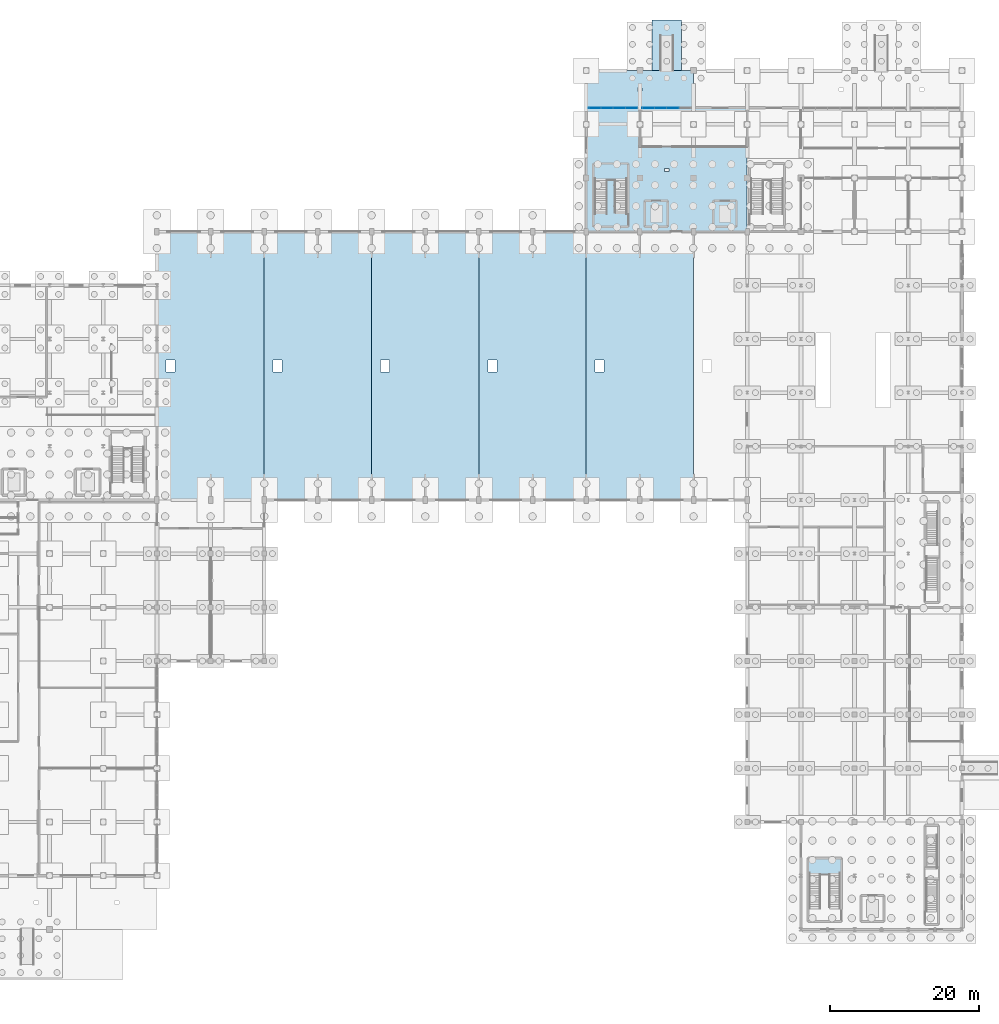
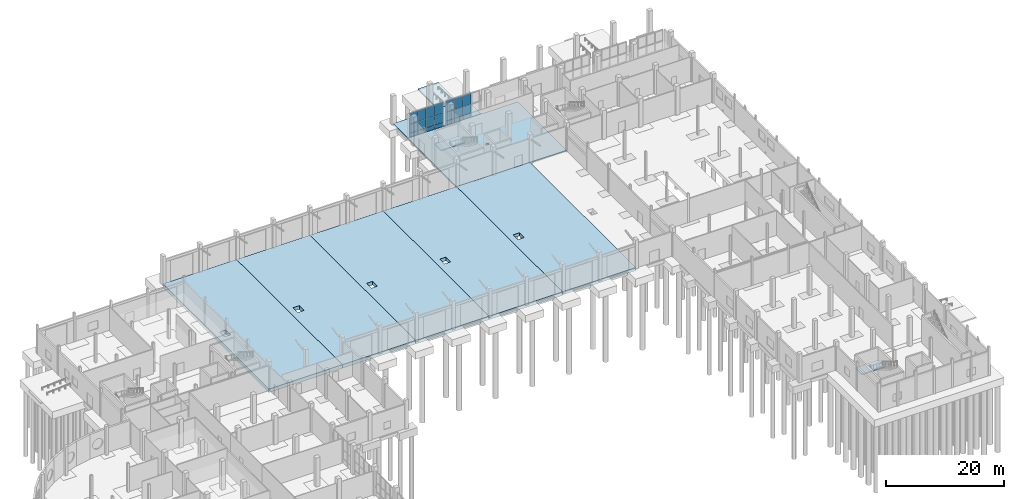
# One storey, part 24 of 45: 21 plates, 10 slabs, 4 elements without a shape of their own.
"""IFC4 building model written with IfcOpenShell, lengths in metres."""

from ifc_helpers import new_model, si_unit, direction, frame, origin, origin_2d, place, context, subcontext, project, spatial, polyline, rectangle, outline, extrude, material, layer, layer_set, type_object, element, aggregate, save


model = new_model("IFC4")

# Units and contexts
model_context = context("Model", 3, precision=1e-05, world=origin(), true_north=direction((0.0, 1.0)))
body_context = subcontext(model_context, "Body", "Model", "MODEL_VIEW")
ifc_project = project(units=[si_unit("LENGTHUNIT", "METRE"), si_unit("AREAUNIT", "SQUARE_METRE"), si_unit("VOLUMEUNIT", "CUBIC_METRE"), si_unit("PLANEANGLEUNIT", "RADIAN"), si_unit("MASSUNIT", "GRAM", prefix="KILO")], contexts=[model_context])

# Site, building, storey
site_placement = place(None, origin())
site = spatial("IfcSite", under=ifc_project, at=site_placement, CompositionType="ELEMENT")
building_placement = place(site_placement, origin())
building = spatial("IfcBuilding", under=site, at=building_placement, Name="Yarey Park Central Fire Station", CompositionType="ELEMENT")
storey_placement = place(building_placement, origin())
storey = spatial("IfcBuildingStorey", under=building, at=storey_placement, Name="L01", CompositionType="ELEMENT", Elevation=0.0)

# Curtain wall, plates
ifc_material_1 = material(Name="Anodized Aluminium Frame", Category="aluminium")
curtain_wall_type = type_object("IfcCurtainWallType", Name="ENV_CW_HQ_L01", PredefinedType="NOTDEFINED", material=ifc_material_1)
curtain_wall_1_placement = place(storey_placement, origin())
curtain_wall_1 = element("IfcCurtainWall", 1, at=curtain_wall_1_placement, inside=storey, type_object=curtain_wall_type, Name="CW_L01_V4_N_2", PredefinedType="NOTDEFINED")
ifc_material_2 = material(Name="Insulated Aluminium Spandrel Panel", Category="aluminium")
ifc_layer_1 = layer(ifc_material_2, 0.055908203125)
ifc_layer_set_1 = layer_set([ifc_layer_1], Name="Insulated Aluminium Spandrel Panel")
plate_type_1 = type_object("IfcPlateType", Name="ENV_PNL_SPN_01", PredefinedType="CURTAIN_PANEL", material=ifc_layer_set_1)
plate_1_placement = place(storey_placement, frame((126.822509765625, 110.199951171875, 0.04248046875), z_axis=(0.0, 0.0, 1.0), x_axis=(-1.0, 0.0, 0.0)))
plate_1 = element("IfcPlate", 2, at=plate_1_placement, type_object=plate_type_1, Name="CW_L01_V4_N_2_PNL04", PredefinedType="CURTAIN_PANEL", context=body_context, shape_type="SweptSolid", body=[
    extrude(rectangle(XDim=1.60498046875, YDim=0.055908203125, at=origin_2d()), origin(), (0.0, 0.0, 1.0), 0.840087890625),
])
plate_2_placement = place(storey_placement, frame((125.177490234375, 110.199951171875, 0.04248046875), z_axis=(0.0, 0.0, 1.0), x_axis=(-1.0, 0.0, 0.0)))
plate_2 = element("IfcPlate", 3, at=plate_2_placement, type_object=plate_type_1, Name="CW_L01_V4_N_2_PNL07", PredefinedType="CURTAIN_PANEL", context=body_context, shape_type="SweptSolid", body=[
    extrude(rectangle(XDim=1.60498046875, YDim=0.055908203125, at=origin_2d()), origin(), (0.0, 0.0, 1.0), 0.840087890625),
])
plate_3_placement = place(storey_placement, frame((123.532470703125, 110.199951171875, 0.04248046875), z_axis=(0.0, 0.0, 1.0), x_axis=(-1.0, 0.0, 0.0)))
plate_3 = element("IfcPlate", 4, at=plate_3_placement, type_object=plate_type_1, Name="CW_L01_V4_N_2_PNL10", PredefinedType="CURTAIN_PANEL", context=body_context, shape_type="SweptSolid", body=[
    extrude(rectangle(XDim=1.60498046875, YDim=0.055908203125, at=origin_2d()), origin(), (0.0, 0.0, 1.0), 0.840087890625),
])

curtain_wall_2_placement = place(storey_placement, origin())
curtain_wall_2 = element("IfcCurtainWall", 5, at=curtain_wall_2_placement, inside=storey, type_object=curtain_wall_type, Name="CW_L01_V4_N_1", PredefinedType="NOTDEFINED")
ifc_layer_2 = layer(ifc_material_2, 0.087890625)
ifc_layer_set_2 = layer_set([ifc_layer_2], Name="Insulated Aluminium Spandrel Panel")
plate_type_2 = type_object("IfcPlateType", Name="ENV_PNL_SPN_04", PredefinedType="CURTAIN_PANEL", material=ifc_layer_set_2)
plate_4_placement = place(storey_placement, frame((121.267578125, 110.199951171875, 0.04248046875), z_axis=(0.0, 0.0, 1.0), x_axis=(-1.0, 0.0, 0.0)))
plate_4 = element("IfcPlate", 6, at=plate_4_placement, type_object=plate_type_2, Name="CW_L01_V4_N_1_PNL01", PredefinedType="CURTAIN_PANEL", context=body_context, shape_type="SweptSolid", body=[
    extrude(rectangle(XDim=1.60498046875, YDim=0.087890625, at=origin_2d()), origin(), (0.0, 0.0, 1.0), 0.840087890625),
])
plate_5_placement = place(storey_placement, frame((119.62255859375, 110.199951171875, 0.04248046875), z_axis=(0.0, 0.0, 1.0), x_axis=(-1.0, 0.0, 0.0)))
plate_5 = element("IfcPlate", 7, at=plate_5_placement, type_object=plate_type_2, Name="CW_L01_V4_N_1_PNL04", PredefinedType="CURTAIN_PANEL", context=body_context, shape_type="SweptSolid", body=[
    extrude(rectangle(XDim=1.60498046875, YDim=0.087890625, at=origin_2d()), origin(), (0.0, 0.0, 1.0), 0.840087890625),
])
plate_6_placement = place(storey_placement, frame((117.9775390625, 110.199951171875, 0.04248046875), z_axis=(0.0, 0.0, 1.0), x_axis=(-1.0, 0.0, 0.0)))
plate_6 = element("IfcPlate", 8, at=plate_6_placement, type_object=plate_type_2, Name="CW_L01_V4_N_1_PNL07", PredefinedType="CURTAIN_PANEL", context=body_context, shape_type="SweptSolid", body=[
    extrude(rectangle(XDim=1.60498046875, YDim=0.087890625, at=origin_2d()), origin(), (0.0, 0.0, 1.0), 0.840087890625),
])
plate_7_placement = place(storey_placement, frame((116.33251953125, 110.199951171875, 0.04248046875), z_axis=(0.0, 0.0, 1.0), x_axis=(-1.0, 0.0, 0.0)))
plate_7 = element("IfcPlate", 9, at=plate_7_placement, type_object=plate_type_2, Name="CW_L01_V4_N_1_PNL10", PredefinedType="CURTAIN_PANEL", context=body_context, shape_type="SweptSolid", body=[
    extrude(rectangle(XDim=1.60498046875, YDim=0.087890625, at=origin_2d()), origin(), (0.0, 0.0, 1.0), 0.840087890625),
])

# Plate
ifc_material_3 = material(Name="Laminated Hurricane Low-E Glass", Category="glass")
ifc_layer_3 = layer(ifc_material_3, 0.02392578125)
ifc_layer_set_3 = layer_set([ifc_layer_3], Name="Laminated Hurricane Low-E Glass")
plate_type_3 = type_object("IfcPlateType", Name="ENV_PNL_VIS_01", PredefinedType="CURTAIN_PANEL", material=ifc_layer_set_3)
plate_8_placement = place(storey_placement, frame((126.822509765625, 110.199951171875, 0.91748046875), z_axis=(0.0, 0.0, 1.0), x_axis=(-1.0, 0.0, 0.0)))
plate_8 = element("IfcPlate", 10, at=plate_8_placement, type_object=plate_type_3, Name="CW_L01_V4_N_2_PNL05", PredefinedType="CURTAIN_PANEL", context=body_context, shape_type="SweptSolid", body=[
    extrude(rectangle(XDim=1.60498046875, YDim=0.02392578125, at=origin_2d()), origin(), (0.0, 0.0, 1.0), 1.7919921875),
])

plate_9_placement = place(storey_placement, frame((126.822509765625, 110.199951171875, 2.74462890625), z_axis=(0.0, 0.0, 1.0), x_axis=(-1.0, 0.0, 0.0)))
plate_9 = element("IfcPlate", 11, at=plate_9_placement, type_object=plate_type_3, Name="CW_L01_V4_N_2_PNL06", PredefinedType="CURTAIN_PANEL", context=body_context, shape_type="SweptSolid", body=[
    extrude(rectangle(XDim=1.60498046875, YDim=0.02392578125, at=origin_2d()), origin(), (0.0, 0.0, 1.0), 2.262939453125),
])

plate_10_placement = place(storey_placement, frame((125.177490234375, 110.199951171875, 0.91748046875), z_axis=(0.0, 0.0, 1.0), x_axis=(-1.0, 0.0, 0.0)))
plate_10 = element("IfcPlate", 12, at=plate_10_placement, type_object=plate_type_3, Name="CW_L01_V4_N_2_PNL08", PredefinedType="CURTAIN_PANEL", context=body_context, shape_type="SweptSolid", body=[
    extrude(rectangle(XDim=1.60498046875, YDim=0.02392578125, at=origin_2d()), origin(), (0.0, 0.0, 1.0), 1.7919921875),
])

plate_11_placement = place(storey_placement, frame((125.177490234375, 110.199951171875, 2.74462890625), z_axis=(0.0, 0.0, 1.0), x_axis=(-1.0, 0.0, 0.0)))
plate_11 = element("IfcPlate", 13, at=plate_11_placement, type_object=plate_type_3, Name="CW_L01_V4_N_2_PNL09", PredefinedType="CURTAIN_PANEL", context=body_context, shape_type="SweptSolid", body=[
    extrude(rectangle(XDim=1.60498046875, YDim=0.02392578125, at=origin_2d()), origin(), (0.0, 0.0, 1.0), 2.262939453125),
])

plate_12_placement = place(storey_placement, frame((123.532470703125, 110.199951171875, 0.91748046875), z_axis=(0.0, 0.0, 1.0), x_axis=(-1.0, 0.0, 0.0)))
plate_12 = element("IfcPlate", 14, at=plate_12_placement, type_object=plate_type_3, Name="CW_L01_V4_N_2_PNL11", PredefinedType="CURTAIN_PANEL", context=body_context, shape_type="SweptSolid", body=[
    extrude(rectangle(XDim=1.60498046875, YDim=0.02392578125, at=origin_2d()), origin(), (0.0, 0.0, 1.0), 1.7919921875),
])

plate_13_placement = place(storey_placement, frame((123.532470703125, 110.199951171875, 2.74462890625), z_axis=(0.0, 0.0, 1.0), x_axis=(-1.0, 0.0, 0.0)))
plate_13 = element("IfcPlate", 15, at=plate_13_placement, type_object=plate_type_3, Name="CW_L01_V4_N_2_PNL12", PredefinedType="CURTAIN_PANEL", context=body_context, shape_type="SweptSolid", body=[
    extrude(rectangle(XDim=1.60498046875, YDim=0.02392578125, at=origin_2d()), origin(), (0.0, 0.0, 1.0), 2.262939453125),
])

aggregate(curtain_wall_1, [plate_1, plate_8, plate_9, plate_2, plate_10, plate_11, plate_3, plate_12, plate_13])

ifc_layer_4 = layer(ifc_material_3, 0.0458984375)
ifc_layer_set_4 = layer_set([ifc_layer_4], Name="Laminated Hurricane Low-E Glass")
plate_type_4 = type_object("IfcPlateType", Name="ENV_PNL_VIS_04", PredefinedType="CURTAIN_PANEL", material=ifc_layer_set_4)
plate_14_placement = place(storey_placement, frame((121.267578125, 110.199951171875, 0.91748046875), z_axis=(0.0, 0.0, 1.0), x_axis=(-1.0, 0.0, 0.0)))
plate_14 = element("IfcPlate", 16, at=plate_14_placement, type_object=plate_type_4, Name="CW_L01_V4_N_1_PNL02", PredefinedType="CURTAIN_PANEL", context=body_context, shape_type="SweptSolid", body=[
    extrude(rectangle(XDim=1.60498046875, YDim=0.0458984375, at=origin_2d()), origin(), (0.0, 0.0, 1.0), 1.7919921875),
])

plate_15_placement = place(storey_placement, frame((121.267578125, 110.199951171875, 2.74462890625), z_axis=(0.0, 0.0, 1.0), x_axis=(-1.0, 0.0, 0.0)))
plate_15 = element("IfcPlate", 17, at=plate_15_placement, type_object=plate_type_4, Name="CW_L01_V4_N_1_PNL03", PredefinedType="CURTAIN_PANEL", context=body_context, shape_type="SweptSolid", body=[
    extrude(rectangle(XDim=1.60498046875, YDim=0.0458984375, at=origin_2d()), origin(), (0.0, 0.0, 1.0), 2.262939453125),
])

plate_16_placement = place(storey_placement, frame((119.62255859375, 110.199951171875, 0.91748046875), z_axis=(0.0, 0.0, 1.0), x_axis=(-1.0, 0.0, 0.0)))
plate_16 = element("IfcPlate", 18, at=plate_16_placement, type_object=plate_type_4, Name="CW_L01_V4_N_1_PNL05", PredefinedType="CURTAIN_PANEL", context=body_context, shape_type="SweptSolid", body=[
    extrude(rectangle(XDim=1.60498046875, YDim=0.0458984375, at=origin_2d()), origin(), (0.0, 0.0, 1.0), 1.7919921875),
])

plate_17_placement = place(storey_placement, frame((119.62255859375, 110.199951171875, 2.74462890625), z_axis=(0.0, 0.0, 1.0), x_axis=(-1.0, 0.0, 0.0)))
plate_17 = element("IfcPlate", 19, at=plate_17_placement, type_object=plate_type_4, Name="CW_L01_V4_N_1_PNL06", PredefinedType="CURTAIN_PANEL", context=body_context, shape_type="SweptSolid", body=[
    extrude(rectangle(XDim=1.60498046875, YDim=0.0458984375, at=origin_2d()), origin(), (0.0, 0.0, 1.0), 2.262939453125),
])

plate_18_placement = place(storey_placement, frame((117.9775390625, 110.199951171875, 0.91748046875), z_axis=(0.0, 0.0, 1.0), x_axis=(-1.0, 0.0, 0.0)))
plate_18 = element("IfcPlate", 20, at=plate_18_placement, type_object=plate_type_4, Name="CW_L01_V4_N_1_PNL08", PredefinedType="CURTAIN_PANEL", context=body_context, shape_type="SweptSolid", body=[
    extrude(rectangle(XDim=1.60498046875, YDim=0.0458984375, at=origin_2d()), origin(), (0.0, 0.0, 1.0), 1.7919921875),
])

plate_19_placement = place(storey_placement, frame((117.9775390625, 110.199951171875, 2.74462890625), z_axis=(0.0, 0.0, 1.0), x_axis=(-1.0, 0.0, 0.0)))
plate_19 = element("IfcPlate", 21, at=plate_19_placement, type_object=plate_type_4, Name="CW_L01_V4_N_1_PNL09", PredefinedType="CURTAIN_PANEL", context=body_context, shape_type="SweptSolid", body=[
    extrude(rectangle(XDim=1.60498046875, YDim=0.0458984375, at=origin_2d()), origin(), (0.0, 0.0, 1.0), 2.262939453125),
])

plate_20_placement = place(storey_placement, frame((116.33251953125, 110.199951171875, 0.91748046875), z_axis=(0.0, 0.0, 1.0), x_axis=(-1.0, 0.0, 0.0)))
plate_20 = element("IfcPlate", 22, at=plate_20_placement, type_object=plate_type_4, Name="CW_L01_V4_N_1_PNL11", PredefinedType="CURTAIN_PANEL", context=body_context, shape_type="SweptSolid", body=[
    extrude(rectangle(XDim=1.60498046875, YDim=0.0458984375, at=origin_2d()), origin(), (0.0, 0.0, 1.0), 1.7919921875),
])

plate_21_placement = place(storey_placement, frame((116.33251953125, 110.199951171875, 2.74462890625), z_axis=(0.0, 0.0, 1.0), x_axis=(-1.0, 0.0, 0.0)))
plate_21 = element("IfcPlate", 23, at=plate_21_placement, type_object=plate_type_4, Name="CW_L01_V4_N_1_PNL12", PredefinedType="CURTAIN_PANEL", context=body_context, shape_type="SweptSolid", body=[
    extrude(rectangle(XDim=1.60498046875, YDim=0.0458984375, at=origin_2d()), origin(), (0.0, 0.0, 1.0), 2.262939453125),
])

aggregate(curtain_wall_2, [plate_4, plate_14, plate_15, plate_5, plate_16, plate_17, plate_6, plate_18, plate_19, plate_7, plate_20, plate_21])

# Stair, slab
ifc_material_4 = material(Name="Concrete C40/50", Category="concrete")
stair_type_1 = type_object("IfcStairType", Name="INT_ST_2RUN_150_H60", PredefinedType="USERDEFINED", material=ifc_material_4)
stair_1_placement = place(storey_placement, origin())
stair_1 = element("IfcStair", 24, at=stair_1_placement, inside=storey, type_object=stair_type_1, Name="Exit Stair ST-1 L01", ObjectType="TWO_RUN_STAIR", PredefinedType="USERDEFINED")
ifc_layer_5 = layer(ifc_material_4, 0.205078125)
ifc_layer_set_5 = layer_set([ifc_layer_5], Name="Concrete C40/50")
slab_type_1 = type_object("IfcSlabType", Name="INT_SLAB_LND205", PredefinedType="LANDING", material=ifc_layer_set_5)
slab_1_placement = place(storey_placement, frame((0.0, 0.0, 2.794921875)))
slab_1 = element("IfcSlab", 25, at=slab_1_placement, type_object=slab_type_1, Name="STAIR_C1_L01_LND", PredefinedType="LANDING", context=body_context, shape_type="SweptSolid", body=[
    extrude(outline(polyline([(116.14990234375, 100.5), (120.85009765625, 100.5), (120.85009765625, 102.75), (116.14990234375, 102.75), (116.14990234375, 100.5)])), origin(), (0.0, 0.0, 1.0), 0.205078125),
])
aggregate(stair_1, [slab_1])

stair_type_2 = type_object("IfcStairType", Name="INT_ST_2RUN_130_H60", PredefinedType="USERDEFINED", material=ifc_material_4)
stair_2_placement = place(storey_placement, origin())
stair_2 = element("IfcStair", 26, at=stair_2_placement, inside=storey, type_object=stair_type_2, Name="Exit Stair ST-5 L01", ObjectType="TWO_RUN_STAIR", PredefinedType="USERDEFINED")
slab_2_placement = place(storey_placement, frame((0.0, 0.0, 2.794921875)))
slab_2 = element("IfcSlab", 27, at=slab_2_placement, type_object=slab_type_1, Name="STAIR_C5_L01_LND", PredefinedType="LANDING", context=body_context, shape_type="SweptSolid", body=[
    extrude(outline(polyline([(144.949951171875, 7.300048828125), (149.449951171875, 7.300048828125), (149.449951171875, 9.550048828125), (144.949951171875, 9.550048828125), (144.949951171875, 7.300048828125)])), origin(), (0.0, 0.0, 1.0), 0.205078125),
])
aggregate(stair_2, [slab_2])

# Slabs
ifc_material_5 = material(Name="Concrete C35/45", Category="concrete")
ifc_layer_6 = layer(ifc_material_5, 0.27001953125)
ifc_layer_set_6 = layer_set([ifc_layer_6], Name="Concrete C35/45")
slab_type_2 = type_object("IfcSlabType", Name="STR_SLAB_EXT270", PredefinedType="FLOOR", material=ifc_layer_set_6)
slab_3_placement = place(storey_placement, frame((0.0, 0.0, -0.27001953125)))
element("IfcSlab", 28, at=slab_3_placement, inside=storey, type_object=slab_type_2, Name="SLAB_L01_V4_PORTAL_1", PredefinedType="FLOOR", context=body_context, shape_type="SweptSolid", body=[
    extrude(outline(polyline([(115.199951171875, 110.199951171875), (129.60009765625, 110.199951171875), (129.60009765625, 115.199951171875), (115.199951171875, 115.199951171875), (115.199951171875, 110.199951171875)]), holes=[polyline([(122.10009765625, 112.5), (122.699951171875, 112.5), (122.699951171875, 112.89990234375), (122.10009765625, 112.89990234375), (122.10009765625, 112.5)])]), origin(), (0.0, 0.0, 1.0), 0.27001953125),
])
slab_4_placement = place(storey_placement, frame((0.0, 0.0, -0.2900390625)))
element("IfcSlab", 29, at=slab_4_placement, inside=storey, type_object=slab_type_2, Name="SLAB_L01_APR_N1", PredefinedType="FLOOR", context=body_context, shape_type="SweptSolid", body=[
    extrude(outline(polyline([(124.0, 115.199951171875), (128.0, 115.199951171875), (128.0, 122.0), (124.0, 122.0), (124.0, 115.199951171875)])), origin(), (0.0, 0.0, 1.0), 0.27001953125),
])
ifc_layer_7 = layer(ifc_material_5, 0.300048828125)
ifc_layer_set_7 = layer_set([ifc_layer_7], Name="Concrete C35/45")
slab_type_3 = type_object("IfcSlabType", Name="STR_SLAB_G300", PredefinedType="FLOOR", material=ifc_layer_set_7)
slab_5_placement = place(storey_placement, frame((0.0, 0.0, -0.300048828125)))
element("IfcSlab", 30, at=slab_5_placement, inside=storey, type_object=slab_type_3, Name="SLAB_L01_V4_W", PredefinedType="FLOOR", context=body_context, shape_type="SweptSolid", body=[
    extrude(outline(polyline([(115.199951171875, 93.60009765625), (136.800048828125, 93.60009765625), (136.800048828125, 110.199951171875), (115.199951171875, 110.199951171875), (115.199951171875, 93.60009765625)]), holes=[polyline([(125.699951171875, 101.699951171875), (126.300048828125, 101.699951171875), (126.300048828125, 102.10009765625), (125.699951171875, 102.10009765625), (125.699951171875, 101.699951171875)])]), origin(), (0.0, 0.0, 1.0), 0.300048828125),
])
ifc_layer_8 = layer(ifc_material_5, 0.64990234375)
ifc_layer_set_8 = layer_set([ifc_layer_8], Name="Concrete C35/45")
slab_type_4 = type_object("IfcSlabType", Name="STR_SLAB_MAT650", PredefinedType="BASESLAB", material=ifc_layer_set_8)
slab_6_placement = place(storey_placement, frame((0.0, 0.0, -0.64990234375)))
element("IfcSlab", 31, at=slab_6_placement, inside=storey, type_object=slab_type_4, Name="SLAB_L01_V2_MAT5", PredefinedType="BASESLAB", context=body_context, shape_type="SweptSolid", body=[
    extrude(outline(polyline([(115.199951171875, 57.60009765625), (129.60009765625, 57.60009765625), (129.60009765625, 93.60009765625), (115.199951171875, 93.60009765625), (115.199951171875, 57.60009765625)]), holes=[polyline([(116.39990234375, 74.800048828125), (117.60009765625, 74.800048828125), (117.60009765625, 76.39990234375), (116.39990234375, 76.39990234375), (116.39990234375, 74.800048828125)])]), origin(), (0.0, 0.0, 1.0), 0.64990234375),
])
ifc_layer_9 = layer(ifc_material_5, 0.75)
ifc_layer_set_9 = layer_set([ifc_layer_9], Name="Concrete C35/45")
slab_type_5 = type_object("IfcSlabType", Name="STR_SLAB_MAT750", PredefinedType="BASESLAB", material=ifc_layer_set_9)
slab_7_placement = place(storey_placement, frame((0.0, 0.0, -0.75)))
element("IfcSlab", 32, at=slab_7_placement, inside=storey, type_object=slab_type_5, Name="SLAB_L01_V2_MAT1", PredefinedType="BASESLAB", context=body_context, shape_type="SweptSolid", body=[
    extrude(outline(polyline([(57.60009765625, 57.60009765625), (72.0, 57.60009765625), (72.0, 93.60009765625), (57.60009765625, 93.60009765625), (57.60009765625, 57.60009765625)]), holes=[polyline([(58.800048828125, 74.800048828125), (60.0, 74.800048828125), (60.0, 76.39990234375), (58.800048828125, 76.39990234375), (58.800048828125, 74.800048828125)])]), origin(), (0.0, 0.0, 1.0), 0.75),
])
slab_8_placement = place(storey_placement, frame((0.0, 0.0, -0.75)))
element("IfcSlab", 33, at=slab_8_placement, inside=storey, type_object=slab_type_5, Name="SLAB_L01_V2_MAT2", PredefinedType="BASESLAB", context=body_context, shape_type="SweptSolid", body=[
    extrude(outline(polyline([(72.0, 57.60009765625), (86.39990234375, 57.60009765625), (86.39990234375, 93.60009765625), (72.0, 93.60009765625), (72.0, 57.60009765625)]), holes=[polyline([(73.199951171875, 74.800048828125), (74.39990234375, 74.800048828125), (74.39990234375, 76.39990234375), (73.199951171875, 76.39990234375), (73.199951171875, 74.800048828125)])]), origin(), (0.0, 0.0, 1.0), 0.75),
])
slab_9_placement = place(storey_placement, frame((0.0, 0.0, -0.75)))
element("IfcSlab", 34, at=slab_9_placement, inside=storey, type_object=slab_type_5, Name="SLAB_L01_V2_MAT3", PredefinedType="BASESLAB", context=body_context, shape_type="SweptSolid", body=[
    extrude(outline(polyline([(86.39990234375, 57.60009765625), (100.800048828125, 57.60009765625), (100.800048828125, 93.60009765625), (86.39990234375, 93.60009765625), (86.39990234375, 57.60009765625)]), holes=[polyline([(87.60009765625, 74.800048828125), (88.800048828125, 74.800048828125), (88.800048828125, 76.39990234375), (87.60009765625, 76.39990234375), (87.60009765625, 74.800048828125)])]), origin(), (0.0, 0.0, 1.0), 0.75),
])
slab_10_placement = place(storey_placement, frame((0.0, 0.0, -0.75)))
element("IfcSlab", 35, at=slab_10_placement, inside=storey, type_object=slab_type_5, Name="SLAB_L01_V2_MAT4", PredefinedType="BASESLAB", context=body_context, shape_type="SweptSolid", body=[
    extrude(outline(polyline([(100.800048828125, 57.60009765625), (115.199951171875, 57.60009765625), (115.199951171875, 93.60009765625), (100.800048828125, 93.60009765625), (100.800048828125, 57.60009765625)]), holes=[polyline([(102.0, 74.800048828125), (103.199951171875, 74.800048828125), (103.199951171875, 76.39990234375), (102.0, 76.39990234375), (102.0, 74.800048828125)])]), origin(), (0.0, 0.0, 1.0), 0.75),
])

save(model, "model.ifc")
